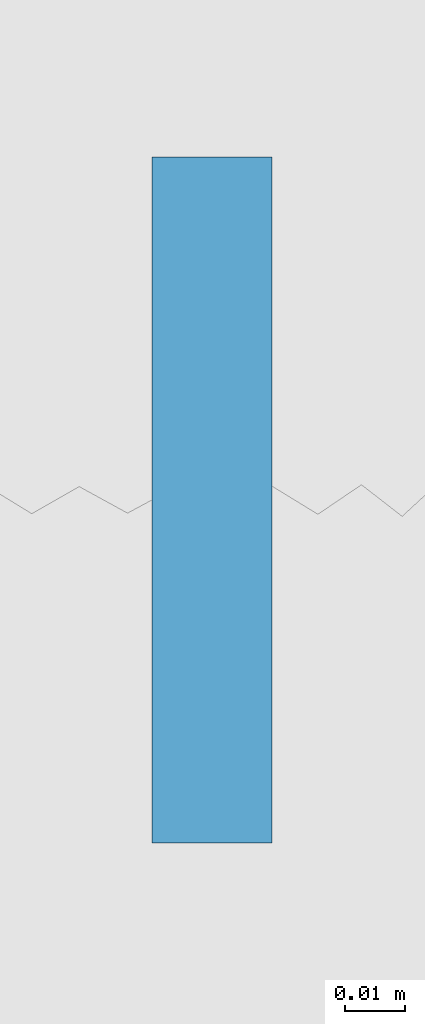
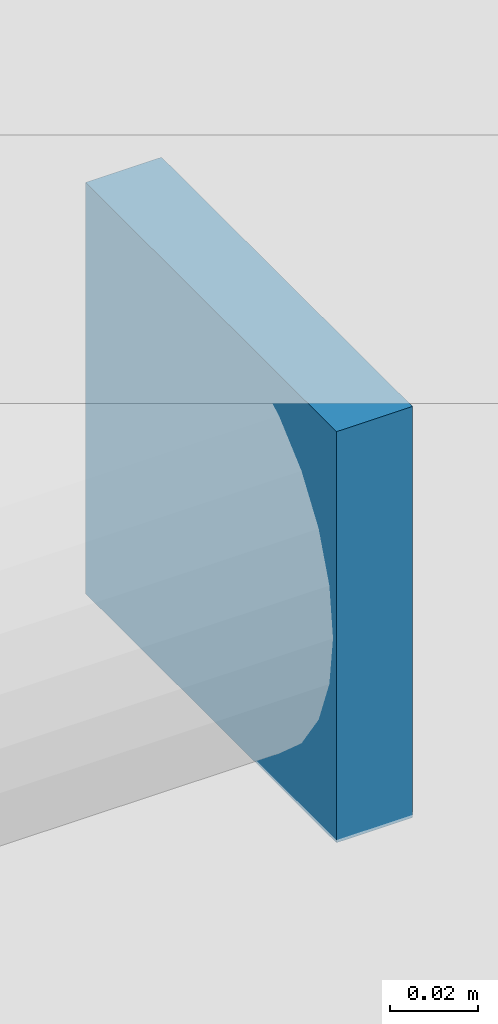
# One storey, part 40 of 50: 1 plate.
"""IFC4 building model written with IfcOpenShell, lengths in metres."""

from ifc_helpers import new_model, si_unit, direction, frame, origin, origin_2d, place, context, subcontext, project, spatial, rectangle, extrude, material, layer, layer_set, type_object, element, save


model = new_model("IFC4")

# Units and contexts
model_context = context("Model", 3, precision=1e-05, world=origin(), true_north=direction((0.0, 1.0)))
body_context = subcontext(model_context, "Body", "Model", "MODEL_VIEW")
ifc_project = project(units=[si_unit("LENGTHUNIT", "METRE"), si_unit("AREAUNIT", "SQUARE_METRE"), si_unit("VOLUMEUNIT", "CUBIC_METRE"), si_unit("PLANEANGLEUNIT", "RADIAN"), si_unit("MASSUNIT", "GRAM", prefix="KILO")], contexts=[model_context])

# Site, building, storey
site_placement = place(None, origin())
site = spatial("IfcSite", under=ifc_project, at=site_placement, CompositionType="ELEMENT")
building_placement = place(site_placement, origin())
building = spatial("IfcBuilding", under=site, at=building_placement, Name="Varnela Railside Interchange", CompositionType="ELEMENT")
storey_placement = place(building_placement, frame((0.0, 0.0, 15.39990234375)))
storey = spatial("IfcBuildingStorey", under=building, at=storey_placement, Name="L03", CompositionType="ELEMENT", Elevation=15.39990234375)

# Plate
ifc_material = material(Name="Steel AR 350 (350 MPa)", Category="steel")
ifc_layer = layer(ifc_material, 0.1142578125)
ifc_layer_set = layer_set([ifc_layer], Name="Steel AR 350 (350 MPa)")
plate_type = type_object("IfcPlateType", Name="Cable End Cap Plate EP-01", PredefinedType="SHEET", material=ifc_layer_set)
plate_placement = place(storey_placement, frame((108.010009765625, 50.0, 1.79296875), z_axis=(0.0, 0.0, 1.0), x_axis=(0.0, 1.0, 0.0)))
element("IfcPlate", 1, at=plate_placement, inside=storey, type_object=plate_type, Name="Cable End Cap Plate EP-01 (L03) (PL-031)", PredefinedType="SHEET", context=body_context, shape_type="SweptSolid", body=[
    extrude(rectangle(XDim=0.1142578125, YDim=0.02001953125, at=origin_2d()), origin(), (0.0, 0.0, 1.0), 0.1142578125),
])

save(model, "model.ifc")
